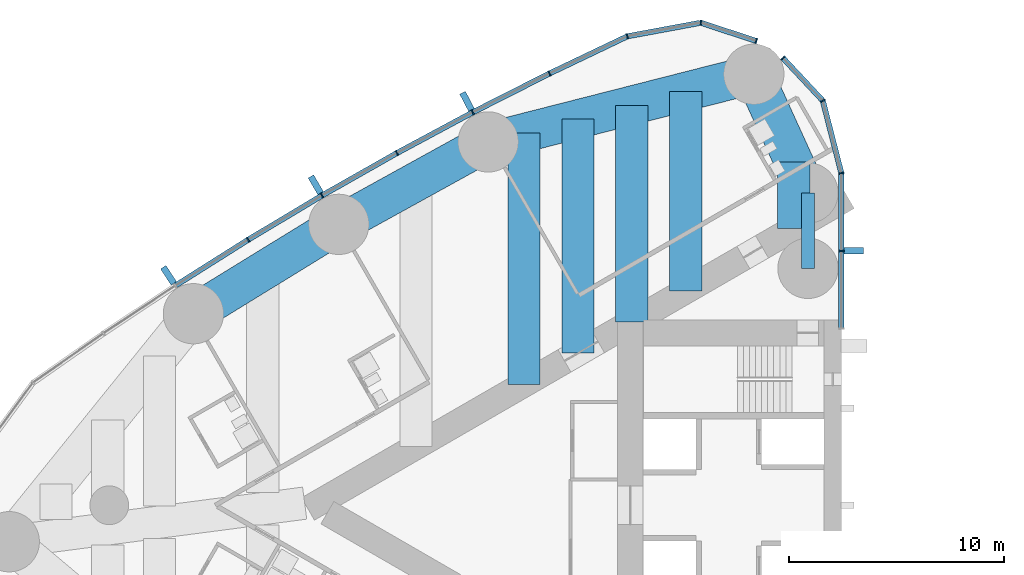
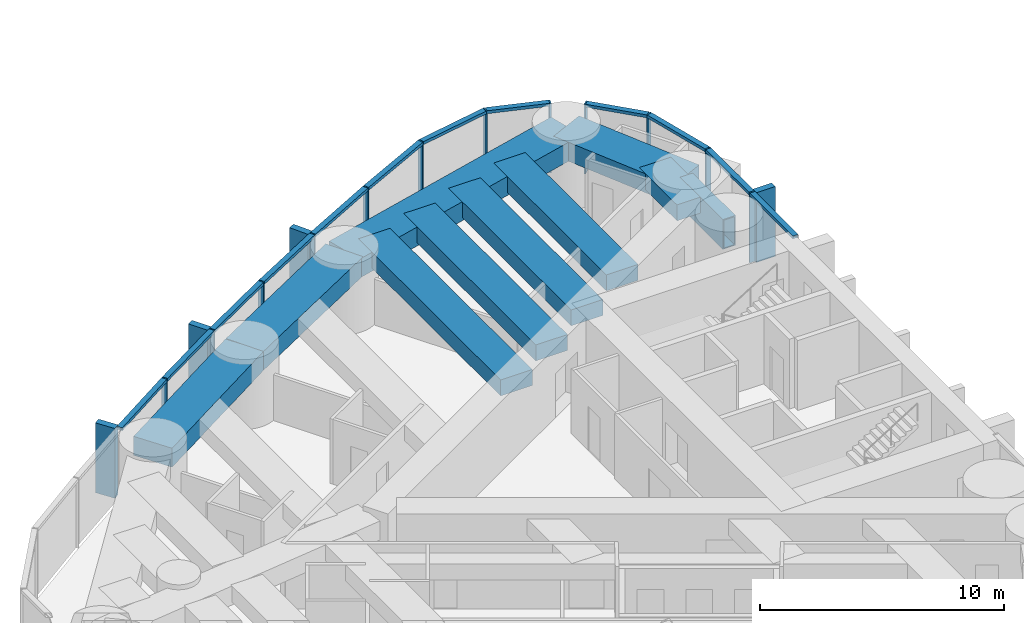
# One storey, part 5 of 18: 28 members, 10 beams, 2 elements without a shape of their own.
"""IFC4 building model written with IfcOpenShell, lengths in metres."""

import ifcopenshell
import ifcopenshell.guid

model = None  # the IFC model being written
_history = None  # IfcOwnerHistory: only IFC2X3 demands one
_inside = {}  # id of a spatial element -> (the spatial element, [elements in it])
_under = {}  # id of a project, library or spatial element -> (it, [spatial elements below it])
_declared = {}  # id of a project -> (the project, [libraries it declares])
_typed = {}  # id of a type object -> (the type object, [elements of that type])
_made_of = {}  # id of a material, layer set ... -> (it, [elements and type objects made of it])


def new_model(schema):
    """Start an empty IFC model of exactly this schema.

    Asked for "IFC4X3", IfcOpenShell would pick the latest addendum, in which some entities
    have other attributes; the version numbers below select the first issue.
    IFC2X3 requires an IfcOwnerHistory on every rooted entity: one is made here for all.
    """
    global model, _history
    if schema == "IFC4X3":
        model = ifcopenshell.file(schema_version=(4, 3, 0, 0))
    else:
        model = ifcopenshell.file(schema=schema)
    _inside.clear()
    _under.clear()
    _declared.clear()
    _typed.clear()
    _made_of.clear()
    _history = None
    if model.schema == "IFC2X3":
        org = make("IfcOrganization", Name="unknown")
        user = make(
            "IfcPersonAndOrganization",
            ThePerson=make("IfcPerson", FamilyName="unknown"),
            TheOrganization=org,
        )
        app = make(
            "IfcApplication",
            ApplicationDeveloper=org,
            Version="unknown",
            ApplicationFullName="unknown",
            ApplicationIdentifier="unknown",
        )
        _history = make(
            "IfcOwnerHistory",
            OwningUser=user,
            OwningApplication=app,
            ChangeAction="ADDED",
            CreationDate=0,
        )
    return model


def make(cls, **values):
    """One entity of the class cls with the attributes given. An attribute that is None is left unset."""
    return model.create_entity(
        cls, **{name: value for name, value in values.items() if value is not None}
    )


def rooted(cls, **values):
    """An entity with a GlobalId (a new one), such as an element, a storey or a relation."""
    return make(cls, GlobalId=ifcopenshell.guid.new(), OwnerHistory=_history, **values)


def si_unit(unit_type, name, prefix=None):
    """IfcSIUnit, for example si_unit("LENGTHUNIT", "METRE", prefix="MILLI")."""
    return make("IfcSIUnit", UnitType=unit_type, Prefix=prefix, Name=name)


def assignment(units):
    """IfcUnitAssignment: the units of a project."""
    return None if units is None else make("IfcUnitAssignment", Units=units)


def point(xyz):
    """IfcCartesianPoint."""
    return None if xyz is None else make("IfcCartesianPoint", Coordinates=xyz)


def direction(xyz):
    """IfcDirection."""
    return None if xyz is None else make("IfcDirection", DirectionRatios=xyz)


def frame(location, z_axis=None, x_axis=None):
    """IfcAxis2Placement3D, a coordinate frame: its origin and axes. An axis left out is left unset."""
    return make(
        "IfcAxis2Placement3D",
        Location=point(location),
        Axis=direction(z_axis),
        RefDirection=direction(x_axis),
    )


def frame_2d(location, x_axis=None):
    """IfcAxis2Placement2D, a coordinate frame in the plane: its origin and x axis."""
    return make(
        "IfcAxis2Placement2D", Location=point(location), RefDirection=direction(x_axis)
    )


def origin():
    """The frame at (0, 0, 0) with its axes left unset."""
    return frame((0.0, 0.0, 0.0))


def origin_2d():
    """The frame at (0, 0) in the plane with its x axis left unset."""
    return frame_2d((0.0, 0.0))


def place(relative_to, where):
    """IfcLocalPlacement: puts the frame where relative to a parent placement (None: the world)."""
    return make(
        "IfcLocalPlacement", PlacementRelTo=relative_to, RelativePlacement=where
    )


def context(
    kind, dimensions, precision=None, world=None, true_north=None, identifier=None
):
    """IfcGeometricRepresentationContext, for example the 3D "Model" context."""
    return make(
        "IfcGeometricRepresentationContext",
        ContextIdentifier=identifier,
        ContextType=kind,
        CoordinateSpaceDimension=dimensions,
        Precision=precision,
        WorldCoordinateSystem=world,
        TrueNorth=true_north,
    )


def subcontext(parent, identifier, kind, view, scale=None):
    """IfcGeometricRepresentationSubContext, for example "Body" below "Model"."""
    return make(
        "IfcGeometricRepresentationSubContext",
        ContextIdentifier=identifier,
        ContextType=kind,
        ParentContext=parent,
        TargetScale=scale,
        TargetView=view,
    )


def project(units=None, contexts=None):
    """IfcProject with its units and contexts."""
    return rooted(
        "IfcProject",
        Name="project",
        RepresentationContexts=contexts,
        UnitsInContext=assignment(units),
    )


def spatial(cls, under=None, at=None, **own):
    """A site, building, storey or space (cls), placed at a placement, below another one or the project."""
    s = rooted(cls, ObjectPlacement=at, **own)
    if under is not None:
        _under.setdefault(under.id(), (under, []))[1].append(s)
    return s


def profile(cls, at=None, kind="AREA", **sizes):
    """A parametric profile (cls). Its sizes go by their IFC names, for example OverallWidth=200.0."""
    return make(cls, ProfileType=kind, Position=at, **sizes)


def rectangle(**sizes):
    """IfcRectangleProfileDef."""
    return profile("IfcRectangleProfileDef", **sizes)


def hollow_rectangle(**sizes):
    """IfcRectangleHollowProfileDef."""
    return profile("IfcRectangleHollowProfileDef", **sizes)


def extrude(swept, where, along, depth):
    """IfcExtrudedAreaSolid: the profile swept, set in the frame where, extruded along a direction by depth."""
    return make(
        "IfcExtrudedAreaSolid",
        SweptArea=swept,
        Position=where,
        ExtrudedDirection=direction(along),
        Depth=depth,
    )


def shape(context_of_items, identifier, shape_type, items):
    """IfcShapeRepresentation: the items that make up one representation, for example the "Body"."""
    return make(
        "IfcShapeRepresentation",
        ContextOfItems=context_of_items,
        RepresentationIdentifier=identifier,
        RepresentationType=shape_type,
        Items=items,
    )


def material(Name=None, Category=None):
    """IfcMaterial."""
    return make("IfcMaterial", Name=Name, Category=Category)


def material_profile(
    of_material, cross_section, Name=None, Category=None, Priority=None
):
    """IfcMaterialProfile: a cross section and its material."""
    return make(
        "IfcMaterialProfile",
        Name=Name,
        Material=of_material,
        Profile=cross_section,
        Priority=Priority,
        Category=Category,
    )


def profile_set(profiles, Name=None, composite=None):
    """IfcMaterialProfileSet."""
    return make(
        "IfcMaterialProfileSet",
        Name=Name,
        MaterialProfiles=profiles,
        CompositeProfile=composite,
    )


def made_of(thing, what):
    """Note that an element or type object is made of a material, layer set ...; save() writes the relation."""
    if what is not None:
        _made_of.setdefault(what.id(), (what, []))[1].append(thing)
    return thing


def type_object(cls, material=None, **own):
    """A type object (cls), such as IfcWallType, which elements share."""
    return made_of(rooted(cls, **own), material)


def element(
    cls,
    number,
    at=None,
    inside=None,
    cuts=None,
    type_object=None,
    material=None,
    context=None,
    identifier="Body",
    shape_type=None,
    held_by="IfcProductDefinitionShape",
    body=None,
    shapes=None,
    **own,
):
    """One element of the class cls, such as IfcWall. Its Tag is "e" and its number.

    at: its placement. inside: the storey or other place that contains it. cuts: it is an
    opening in that element (IfcRelVoidsElement). A single representation is given by context,
    identifier, shape_type and body (its items); several are given by shapes. held_by: the class
    of the entity that holds the representations. save() writes the other relations.
    """
    e = rooted(cls, Tag="e%d" % number, ObjectPlacement=at, **own)
    if body is not None:
        shapes = [shape(context, identifier, shape_type, body)]
    if shapes is not None:
        e.Representation = make(held_by, Representations=shapes)
    if inside is not None:
        _inside.setdefault(inside.id(), (inside, []))[1].append(e)
    if cuts is not None:
        rooted(
            "IfcRelVoidsElement", RelatingBuildingElement=cuts, RelatedOpeningElement=e
        )
    if type_object is not None:
        _typed.setdefault(type_object.id(), (type_object, []))[1].append(e)
    return made_of(e, material)


def aggregate(whole, parts):
    """IfcRelAggregates: a whole, such as a stair, and the parts it consists of."""
    return rooted("IfcRelAggregates", RelatingObject=whole, RelatedObjects=parts)


def save(model, path):
    """Write the relations noted so far, then the file.

    IfcRelAggregates (storeys below a building ...), IfcRelContainedInSpatialStructure (elements
    in a storey), IfcRelDefinesByType, IfcRelAssociatesMaterial and IfcRelDeclares: one each for
    every whole, place, type object, material and project.
    """
    for whole, parts in _under.values():
        aggregate(whole, parts)
    for where, things in _inside.values():
        rooted(
            "IfcRelContainedInSpatialStructure",
            RelatedElements=things,
            RelatingStructure=where,
        )
    for kind, things in _typed.values():
        rooted("IfcRelDefinesByType", RelatedObjects=things, RelatingType=kind)
    for what, things in _made_of.values():
        rooted("IfcRelAssociatesMaterial", RelatedObjects=things, RelatingMaterial=what)
    for by, libraries in _declared.values():
        rooted("IfcRelDeclares", RelatingContext=by, RelatedDefinitions=libraries)
    model.write(path)


model = new_model("IFC4")

# Units and contexts
model_context = context("Model", 3, precision=1e-05, world=origin(), true_north=direction((0.0, 1.0)))
body_context = subcontext(model_context, "Body", "Model", "MODEL_VIEW")
ifc_project = project(units=[si_unit("LENGTHUNIT", "METRE"), si_unit("AREAUNIT", "SQUARE_METRE"), si_unit("VOLUMEUNIT", "CUBIC_METRE"), si_unit("PLANEANGLEUNIT", "RADIAN"), si_unit("MASSUNIT", "GRAM", prefix="KILO")], contexts=[model_context])

# Site, building, storey
site_placement = place(None, origin())
site = spatial("IfcSite", under=ifc_project, at=site_placement, CompositionType="ELEMENT")
building_placement = place(site_placement, origin())
building = spatial("IfcBuilding", under=site, at=building_placement, Name="Lancet Gate Hotel", CompositionType="ELEMENT")
storey_placement = place(building_placement, frame((0.0, 0.0, 180.800048828125)))
storey = spatial("IfcBuildingStorey", under=building, at=storey_placement, Name="L48", CompositionType="ELEMENT", Elevation=180.800048828125)

# Curtain wall, members
ifc_material_1 = material(Name="Aluminium curtain wall", Category="aluminium")
curtain_wall_type = type_object("IfcCurtainWallType", Name="Tower unitised curtain wall", PredefinedType="USERDEFINED", material=ifc_material_1)
curtain_wall_1_placement = place(storey_placement, origin())
curtain_wall_1 = element("IfcCurtainWall", 1, at=curtain_wall_1_placement, inside=storey, type_object=curtain_wall_type, Name="T1 L48 curtain wall 1", ObjectType="UNITISED CURTAIN WALL", PredefinedType="USERDEFINED")
ifc_material_2 = material(Name="Aluminium mullion", Category="aluminium")
ifc_material_profile_1 = material_profile(ifc_material_2, rectangle(XDim=0.06494140625, YDim=0.25, at=origin_2d()), Name="MULLION 65x250")
ifc_profile_set_1 = profile_set([ifc_material_profile_1], Name="Aluminium mullion")
member_type_1 = type_object("IfcMemberType", Name="Aluminium mullion 65x250", PredefinedType="MULLION", material=ifc_profile_set_1)
member_1_placement = place(storey_placement, frame((-27.5, 11.811767578125, 0.0), z_axis=(0.0, 0.0, 1.0), x_axis=(0.0, 1.0, 0.0)))
member_1 = element("IfcMember", 2, at=member_1_placement, type_object=member_type_1, Name="T1 L48 curtain wall 1 mullion 2", PredefinedType="MULLION", context=body_context, shape_type="SweptSolid", body=[
    extrude(rectangle(XDim=0.06494140625, YDim=0.25, at=origin_2d()), origin(), (0.0, 0.0, 1.0), 3.5),
])
member_2_placement = place(storey_placement, frame((-27.5, 15.42333984375, 0.0), z_axis=(0.0, 0.0, 1.0), x_axis=(-0.122467472845, 0.992472527627, 0.0)))
member_2 = element("IfcMember", 3, at=member_2_placement, type_object=member_type_1, Name="T1 L48 curtain wall 1 mullion 3", PredefinedType="MULLION", context=body_context, shape_type="SweptSolid", body=[
    extrude(rectangle(XDim=0.06494140625, YDim=0.25, at=origin_2d()), origin(), (0.0, 0.0, 1.0), 3.5),
])
member_3_placement = place(storey_placement, frame((-28.360595703125, 18.7861328125, 0.0), z_axis=(0.0, 0.0, 1.0), x_axis=(-0.452507601198, 0.891760545695, 0.0)))
member_3 = element("IfcMember", 4, at=member_3_placement, type_object=member_type_1, Name="T1 L48 curtain wall 1 mullion 4", PredefinedType="MULLION", context=body_context, shape_type="SweptSolid", body=[
    extrude(rectangle(XDim=0.06494140625, YDim=0.25, at=origin_2d()), origin(), (0.0, 0.0, 1.0), 3.5),
])
member_4_placement = place(storey_placement, frame((-30.210693359375, 20.765625, 0.0), z_axis=(0.0, 0.0, 1.0), x_axis=(-0.682844962172, 0.730563315282, 0.0)))
member_4 = element("IfcMember", 5, at=member_4_placement, type_object=member_type_1, Name="T1 L48 curtain wall 1 mullion 5", PredefinedType="MULLION", context=body_context, shape_type="SweptSolid", body=[
    extrude(rectangle(XDim=0.06494140625, YDim=0.25, at=origin_2d()), origin(), (0.0, 0.0, 1.0), 3.5),
])

curtain_wall_2_placement = place(storey_placement, origin())
curtain_wall_2 = element("IfcCurtainWall", 6, at=curtain_wall_2_placement, inside=storey, type_object=curtain_wall_type, Name="T1 L48 curtain wall 2", ObjectType="UNITISED CURTAIN WALL", PredefinedType="USERDEFINED")
member_5_placement = place(storey_placement, frame((-31.45263671875, 21.5595703125, 0.0), z_axis=(0.0, 0.0, 1.0), x_axis=(-0.949848055084, 0.312711803827, 0.0)))
member_5 = element("IfcMember", 7, at=member_5_placement, type_object=member_type_1, Name="T1 L48 curtain wall 2 mullion 1", PredefinedType="MULLION", context=body_context, shape_type="SweptSolid", body=[
    extrude(rectangle(XDim=0.06494140625, YDim=0.25, at=origin_2d()), origin(), (0.0, 0.0, 1.0), 3.5),
])
member_6_placement = place(storey_placement, frame((-34.02783203125, 22.407470703125, 0.0), z_axis=(0.0, 0.0, 1.0), x_axis=(-0.999350473622, 0.036036521361, 0.0)))
member_6 = element("IfcMember", 8, at=member_6_placement, type_object=member_type_1, Name="T1 L48 curtain wall 2 mullion 2", PredefinedType="MULLION", context=body_context, shape_type="SweptSolid", body=[
    extrude(rectangle(XDim=0.06494140625, YDim=0.25, at=origin_2d()), origin(), (0.0, 0.0, 1.0), 3.5),
])
member_7_placement = place(storey_placement, frame((-37.44091796875, 21.775634765625, 0.0), z_axis=(0.0, 0.0, 1.0), x_axis=(-0.948119321052, -0.317914694609, 0.0)))
member_7 = element("IfcMember", 9, at=member_7_placement, type_object=member_type_1, Name="T1 L48 curtain wall 2 mullion 3", PredefinedType="MULLION", context=body_context, shape_type="SweptSolid", body=[
    extrude(rectangle(XDim=0.06494140625, YDim=0.25, at=origin_2d()), origin(), (0.0, 0.0, 1.0), 3.5),
])
member_8_placement = place(storey_placement, frame((-41.0498046875, 20.052978515625, 0.0), z_axis=(0.0, 0.0, 1.0), x_axis=(-0.897324392142, -0.441371652088, 0.0)))
member_8 = element("IfcMember", 10, at=member_8_placement, type_object=member_type_1, Name="T1 L48 curtain wall 2 mullion 4", PredefinedType="MULLION", context=body_context, shape_type="SweptSolid", body=[
    extrude(rectangle(XDim=0.06494140625, YDim=0.25, at=origin_2d()), origin(), (0.0, 0.0, 1.0), 3.5),
])
member_9_placement = place(storey_placement, frame((-44.6171875, 18.245849609375, 0.0), z_axis=(0.0, 0.0, 1.0), x_axis=(-0.886694440064, -0.462355891019, 0.0)))
member_9 = element("IfcMember", 11, at=member_9_placement, type_object=member_type_1, Name="T1 L48 curtain wall 2 mullion 5", PredefinedType="MULLION", context=body_context, shape_type="SweptSolid", body=[
    extrude(rectangle(XDim=0.06494140625, YDim=0.25, at=origin_2d()), origin(), (0.0, 0.0, 1.0), 3.5),
])
member_10_placement = place(storey_placement, frame((-48.140869140625, 16.355224609375, 0.0), z_axis=(0.0, 0.0, 1.0), x_axis=(-0.87557384965, -0.483084292654, 0.0)))
member_10 = element("IfcMember", 12, at=member_10_placement, type_object=member_type_1, Name="T1 L48 curtain wall 2 mullion 6", PredefinedType="MULLION", context=body_context, shape_type="SweptSolid", body=[
    extrude(rectangle(XDim=0.06494140625, YDim=0.25, at=origin_2d()), origin(), (0.0, 0.0, 1.0), 3.5),
])
member_11_placement = place(storey_placement, frame((-51.619384765625, 14.38232421875, 0.0), z_axis=(0.0, 0.0, 1.0), x_axis=(-0.863968774311, -0.503545387245, 0.0)))
member_11 = element("IfcMember", 13, at=member_11_placement, type_object=member_type_1, Name="T1 L48 curtain wall 2 mullion 7", PredefinedType="MULLION", context=body_context, shape_type="SweptSolid", body=[
    extrude(rectangle(XDim=0.06494140625, YDim=0.25, at=origin_2d()), origin(), (0.0, 0.0, 1.0), 3.5),
])
member_12_placement = place(storey_placement, frame((-55.05029296875, 12.328369140625, 0.0), z_axis=(0.0, 0.0, 1.0), x_axis=(-0.851885635531, -0.52372785297, 0.0)))
member_12 = element("IfcMember", 14, at=member_12_placement, type_object=member_type_1, Name="T1 L48 curtain wall 2 mullion 8", PredefinedType="MULLION", context=body_context, shape_type="SweptSolid", body=[
    extrude(rectangle(XDim=0.06494140625, YDim=0.25, at=origin_2d()), origin(), (0.0, 0.0, 1.0), 3.5),
])

# Member
ifc_material_3 = material(Name="Aluminium transom", Category="aluminium")
ifc_material_profile_2 = material_profile(ifc_material_3, rectangle(XDim=0.25, YDim=0.14990234375, at=origin_2d()), Name="TRANSOM 250x150")
ifc_profile_set_2 = profile_set([ifc_material_profile_2], Name="Aluminium transom")
member_type_2 = type_object("IfcMemberType", Name="Aluminium transom 250x150", PredefinedType="USERDEFINED", material=ifc_profile_set_2)
member_13_placement = place(storey_placement, frame((-27.5, 8.232421875, 3.425048828125), z_axis=(0.0, 1.0, 0.0), x_axis=(-1.0, 0.0, 0.0)))
member_13 = element("IfcMember", 15, at=member_13_placement, type_object=member_type_2, Name="T1 L48 curtain wall 1 transom 1", ObjectType="TRANSOM", PredefinedType="USERDEFINED", context=body_context, shape_type="SweptSolid", body=[
    extrude(rectangle(XDim=0.25, YDim=0.14990234375, at=origin_2d()), origin(), (0.0, 0.0, 1.0), 3.546875),
])

member_14_placement = place(storey_placement, frame((-27.5, 11.84423828125, 3.425048828125), z_axis=(0.0, 1.0, 0.0), x_axis=(-1.0, 0.0, 0.0)))
member_14 = element("IfcMember", 16, at=member_14_placement, type_object=member_type_2, Name="T1 L48 curtain wall 1 transom 2", ObjectType="TRANSOM", PredefinedType="USERDEFINED", context=body_context, shape_type="SweptSolid", body=[
    extrude(rectangle(XDim=0.25, YDim=0.14990234375, at=origin_2d()), origin(), (0.0, 0.0, 1.0), 3.546630859375),
])

member_15_placement = place(storey_placement, frame((-27.508056640625, 15.454833984375, 3.425048828125), z_axis=(-0.247928683912, 0.968778286139, 0.0), x_axis=(-0.968778286139, -0.247928683912, 0.0)))
member_15 = element("IfcMember", 17, at=member_15_placement, type_object=member_type_2, Name="T1 L48 curtain wall 1 transom 3", ObjectType="TRANSOM", PredefinedType="USERDEFINED", context=body_context, shape_type="SweptSolid", body=[
    extrude(rectangle(XDim=0.25, YDim=0.14990234375, at=origin_2d()), origin(), (0.0, 0.0, 1.0), 3.40625),
])

member_16_placement = place(storey_placement, frame((-28.3828125, 18.809814453125, 3.425048828125), z_axis=(-0.682841037959, 0.730566983157, 0.0), x_axis=(-0.730566983157, -0.682841037959, 0.0)))
member_16 = element("IfcMember", 18, at=member_16_placement, type_object=member_type_2, Name="T1 L48 curtain wall 1 transom 4", ObjectType="TRANSOM", PredefinedType="USERDEFINED", context=body_context, shape_type="SweptSolid", body=[
    extrude(rectangle(XDim=0.25, YDim=0.14990234375, at=origin_2d()), origin(), (0.0, 0.0, 1.0), 2.644775390625),
])

member_17_placement = place(storey_placement, frame((-31.483642578125, 21.56982421875, 3.425048828125), z_axis=(-0.949857661259, 0.312682623993, 0.0), x_axis=(-0.312682623993, -0.949857661259, 0.0)))
member_17 = element("IfcMember", 19, at=member_17_placement, type_object=member_type_2, Name="T1 L48 curtain wall 2 transom 1", ObjectType="TRANSOM", PredefinedType="USERDEFINED", context=body_context, shape_type="SweptSolid", body=[
    extrude(rectangle(XDim=0.25, YDim=0.14990234375, at=origin_2d()), origin(), (0.0, 0.0, 1.0), 2.64599609375),
])

member_18_placement = place(storey_placement, frame((-34.059814453125, 22.401611328125, 3.425048828125), z_axis=(-0.983286757871, -0.182063592724, 0.0), x_axis=(0.182063592724, -0.983286757871, 0.0)))
member_18 = element("IfcMember", 20, at=member_18_placement, type_object=member_type_2, Name="T1 L48 curtain wall 2 transom 2", ObjectType="TRANSOM", PredefinedType="USERDEFINED", context=body_context, shape_type="SweptSolid", body=[
    extrude(rectangle(XDim=0.25, YDim=0.14990234375, at=origin_2d()), origin(), (0.0, 0.0, 1.0), 3.406005859375),
])

member_19_placement = place(storey_placement, frame((-37.47021484375, 21.761474609375, 3.425048828125), z_axis=(-0.902468975385, -0.430754858902, 0.0), x_axis=(0.430754858902, -0.902468975385, 0.0)))
member_19 = element("IfcMember", 21, at=member_19_placement, type_object=member_type_2, Name="T1 L48 curtain wall 2 transom 3", ObjectType="TRANSOM", PredefinedType="USERDEFINED", context=body_context, shape_type="SweptSolid", body=[
    extrude(rectangle(XDim=0.25, YDim=0.14990234375, at=origin_2d()), origin(), (0.0, 0.0, 1.0), 3.93408203125),
])

member_20_placement = place(storey_placement, frame((-41.078857421875, 20.0380859375, 3.425048828125), z_axis=(-0.892081477453, -0.451874581699, 0.0), x_axis=(0.451874581699, -0.892081477453, 0.0)))
member_20 = element("IfcMember", 22, at=member_20_placement, type_object=member_type_2, Name="T1 L48 curtain wall 2 transom 4", ObjectType="TRANSOM", PredefinedType="USERDEFINED", context=body_context, shape_type="SweptSolid", body=[
    extrude(rectangle(XDim=0.25, YDim=0.14990234375, at=origin_2d()), origin(), (0.0, 0.0, 1.0), 3.933837890625),
])

member_21_placement = place(storey_placement, frame((-44.645751953125, 18.23046875, 3.425048828125), z_axis=(-0.881185491994, -0.472770693571, 0.0), x_axis=(0.472770693571, -0.881185491994, 0.0)))
member_21 = element("IfcMember", 23, at=member_21_placement, type_object=member_type_2, Name="T1 L48 curtain wall 2 transom 5", ObjectType="TRANSOM", PredefinedType="USERDEFINED", context=body_context, shape_type="SweptSolid", body=[
    extrude(rectangle(XDim=0.25, YDim=0.14990234375, at=origin_2d()), origin(), (0.0, 0.0, 1.0), 3.93408203125),
])

member_22_placement = place(storey_placement, frame((-48.169189453125, 16.33935546875, 3.425048828125), z_axis=(-0.869819807367, -0.493369539709, 0.0), x_axis=(0.493369539709, -0.869819807367, 0.0)))
member_22 = element("IfcMember", 24, at=member_22_placement, type_object=member_type_2, Name="T1 L48 curtain wall 2 transom 6", ObjectType="TRANSOM", PredefinedType="USERDEFINED", context=body_context, shape_type="SweptSolid", body=[
    extrude(rectangle(XDim=0.25, YDim=0.14990234375, at=origin_2d()), origin(), (0.0, 0.0, 1.0), 3.93408203125),
])

member_23_placement = place(storey_placement, frame((-51.647216796875, 14.36572265625, 3.425048828125), z_axis=(-0.857985365092, -0.513674131419, 0.0), x_axis=(0.513674131419, -0.857985365092, 0.0)))
member_23 = element("IfcMember", 25, at=member_23_placement, type_object=member_type_2, Name="T1 L48 curtain wall 2 transom 7", ObjectType="TRANSOM", PredefinedType="USERDEFINED", context=body_context, shape_type="SweptSolid", body=[
    extrude(rectangle(XDim=0.25, YDim=0.14990234375, at=origin_2d()), origin(), (0.0, 0.0, 1.0), 3.933837890625),
])

member_24_placement = place(storey_placement, frame((-55.077880859375, 12.31103515625, 3.425048828125), z_axis=(-0.845671711095, -0.53370343549, 0.0), x_axis=(0.53370343549, -0.845671711095, 0.0)))
member_24 = element("IfcMember", 26, at=member_24_placement, type_object=member_type_2, Name="T1 L48 curtain wall 2 transom 8", ObjectType="TRANSOM", PredefinedType="USERDEFINED", context=body_context, shape_type="SweptSolid", body=[
    extrude(rectangle(XDim=0.25, YDim=0.14990234375, at=origin_2d()), origin(), (0.0, 0.0, 1.0), 3.93408203125),
])

# Beams
ifc_material_4 = material(Name="Concrete C50/60", Category="concrete")
ifc_material_profile_3 = material_profile(ifc_material_4, rectangle(XDim=1.800048828125, YDim=0.949951171875, at=origin_2d()), Name="RC 1800x950")
ifc_profile_set_3 = profile_set([ifc_material_profile_3], Name="Concrete C50/60")
beam_type_1 = type_object("IfcBeamType", Name="Edge beam RC 1800x950", PredefinedType="SPANDREL", material=ifc_profile_set_3)
beam_1_placement = place(storey_placement, frame((-31.5654296875, 20.015869140625, 2.77490234375), z_axis=(-0.969008414312, -0.247027717052, 0.0), x_axis=(0.247027717052, -0.969008414312, 0.0)))
element("IfcBeam", 27, at=beam_1_placement, inside=storey, type_object=beam_type_1, Name="T1 edge beam EB1 L48", PredefinedType="SPANDREL", context=body_context, shape_type="SweptSolid", body=[
    extrude(rectangle(XDim=1.800048828125, YDim=0.949951171875, at=origin_2d()), origin(), (0.0, 0.0, 1.0), 12.7294921875),
])
beam_2_placement = place(storey_placement, frame((-43.900390625, 16.871337890625, 2.77490234375), z_axis=(-0.875577684027, -0.483077342911, 0.0), x_axis=(0.483077342911, -0.875577684027, 0.0)))
element("IfcBeam", 28, at=beam_2_placement, inside=storey, type_object=beam_type_1, Name="T1 edge beam EB1 L48", PredefinedType="SPANDREL", context=body_context, shape_type="SweptSolid", body=[
    extrude(rectangle(XDim=1.800048828125, YDim=0.949951171875, at=origin_2d()), origin(), (0.0, 0.0, 1.0), 7.924560546875),
])
beam_3_placement = place(storey_placement, frame((-50.8388671875, 13.043212890625, 2.77490234375), z_axis=(-0.851892008043, -0.523717487423, 0.0), x_axis=(0.523717487423, -0.851892008043, 0.0)))
element("IfcBeam", 29, at=beam_3_placement, inside=storey, type_object=beam_type_1, Name="T1 edge beam EB1 L48", PredefinedType="SPANDREL", context=body_context, shape_type="SweptSolid", body=[
    extrude(rectangle(XDim=1.800048828125, YDim=0.949951171875, at=origin_2d()), origin(), (0.0, 0.0, 1.0), 7.92431640625),
])
beam_4_placement = place(storey_placement, frame((-31.5654296875, 20.015869140625, 2.77490234375), z_axis=(0.414919206993, -0.909858259109, 0.0), x_axis=(0.909858259109, 0.414919206993, 0.0)))
element("IfcBeam", 30, at=beam_4_placement, inside=storey, type_object=beam_type_1, Name="T1 edge beam EB1 L48", PredefinedType="SPANDREL", context=body_context, shape_type="SweptSolid", body=[
    extrude(rectangle(XDim=1.800048828125, YDim=0.949951171875, at=origin_2d()), origin(), (0.0, 0.0, 1.0), 6.062255859375),
])

# Member
ifc_material_5 = material(Name="Precast concrete C50/60", Category="concrete")
ifc_material_profile_4 = material_profile(ifc_material_5, rectangle(XDim=0.300048828125, YDim=0.89990234375, at=origin_2d()), Name="FIN 300x900")
ifc_profile_set_4 = profile_set([ifc_material_profile_4], Name="Precast concrete C50/60")
member_type_3 = type_object("IfcMemberType", Name="Exposed concrete fin 300x900", PredefinedType="USERDEFINED", material=ifc_profile_set_4)
member_25_placement = place(storey_placement, frame((-26.925048828125, 11.811767578125, 0.0), z_axis=(0.0, 0.0, 1.0), x_axis=(0.0, 1.0, 0.0)))
member_25 = element("IfcMember", 31, at=member_25_placement, type_object=member_type_3, Name="T1 L48 curtain wall 1 fin 2", ObjectType="FIN", PredefinedType="USERDEFINED", context=body_context, shape_type="SweptSolid", body=[
    extrude(rectangle(XDim=0.300048828125, YDim=0.89990234375, at=origin_2d()), origin(), (0.0, 0.0, 1.0), 3.5),
])

aggregate(curtain_wall_1, [member_1, member_25, member_2, member_3, member_4, member_13, member_14, member_15, member_16])

member_26_placement = place(storey_placement, frame((-44.883056640625, 18.755615234375, 0.0), z_axis=(0.0, 0.0, 1.0), x_axis=(-0.886694440064, -0.462355891019, 0.0)))
member_26 = element("IfcMember", 32, at=member_26_placement, type_object=member_type_3, Name="T1 L48 curtain wall 2 fin 5", ObjectType="FIN", PredefinedType="USERDEFINED", context=body_context, shape_type="SweptSolid", body=[
    extrude(rectangle(XDim=0.300048828125, YDim=0.89990234375, at=origin_2d()), origin(), (0.0, 0.0, 1.0), 3.5),
])

member_27_placement = place(storey_placement, frame((-51.908935546875, 14.879150390625, 0.0), z_axis=(0.0, 0.0, 1.0), x_axis=(-0.863968774311, -0.503545387245, 0.0)))
member_27 = element("IfcMember", 33, at=member_27_placement, type_object=member_type_3, Name="T1 L48 curtain wall 2 fin 7", ObjectType="FIN", PredefinedType="USERDEFINED", context=body_context, shape_type="SweptSolid", body=[
    extrude(rectangle(XDim=0.300048828125, YDim=0.89990234375, at=origin_2d()), origin(), (0.0, 0.0, 1.0), 3.5),
])

member_28_placement = place(storey_placement, frame((-58.74462890625, 10.6767578125, 0.0), z_axis=(0.0, 0.0, 1.0), x_axis=(-0.839331119324, -0.54362052218, 0.0)))
member_28 = element("IfcMember", 34, at=member_28_placement, type_object=member_type_3, Name="T1 L48 curtain wall 2 fin 9", ObjectType="FIN", PredefinedType="USERDEFINED", context=body_context, shape_type="SweptSolid", body=[
    extrude(rectangle(XDim=0.300048828125, YDim=0.89990234375, at=origin_2d()), origin(), (0.0, 0.0, 1.0), 3.5),
])

aggregate(curtain_wall_2, [member_5, member_6, member_7, member_8, member_9, member_26, member_10, member_11, member_27, member_12, member_28, member_17, member_18, member_19, member_20, member_21, member_22, member_23, member_24])

# Beams
ifc_material_6 = material(Name="Concrete C50/60", Category="concrete")
ifc_material_profile_5 = material_profile(ifc_material_6, rectangle(XDim=1.5, YDim=0.800048828125, at=origin_2d()), Name="RC 1500x800")
ifc_profile_set_5 = profile_set([ifc_material_profile_5], Name="Concrete C50/60")
beam_type_2 = type_object("IfcBeamType", Name="Floor beam RC 1500x800", PredefinedType="BEAM", material=ifc_profile_set_5)
beam_5_placement = place(storey_placement, frame((-29.706787109375, 15.940185546875, 2.849853515625), z_axis=(0.0, -1.0, 0.0), x_axis=(1.0, 0.0, 0.0)))
element("IfcBeam", 35, at=beam_5_placement, inside=storey, type_object=beam_type_2, Name="T1 floor beam F01S L48", PredefinedType="BEAM", context=body_context, shape_type="SweptSolid", body=[
    extrude(rectangle(XDim=1.5, YDim=0.800048828125, at=origin_2d()), origin(), (0.0, 0.0, 1.0), 3.087646484375),
])
beam_6_placement = place(storey_placement, frame((-34.720458984375, 19.211669921875, 2.849853515625), z_axis=(0.0, -1.0, 0.0), x_axis=(1.0, 0.0, 0.0)))
element("IfcBeam", 36, at=beam_6_placement, inside=storey, type_object=beam_type_2, Name="T1 floor beam F03S L48", PredefinedType="BEAM", context=body_context, shape_type="SweptSolid", body=[
    extrude(rectangle(XDim=1.5, YDim=0.800048828125, at=origin_2d()), origin(), (0.0, 0.0, 1.0), 9.253662109375),
])
beam_7_placement = place(storey_placement, frame((-37.227294921875, 18.572509765625, 2.849853515625), z_axis=(0.0, -1.0, 0.0), x_axis=(1.0, 0.0, 0.0)))
element("IfcBeam", 37, at=beam_7_placement, inside=storey, type_object=beam_type_2, Name="T1 floor beam F04S L48", PredefinedType="BEAM", context=body_context, shape_type="SweptSolid", body=[
    extrude(rectangle(XDim=1.5, YDim=0.800048828125, at=origin_2d()), origin(), (0.0, 0.0, 1.0), 10.061767578125),
])
beam_8_placement = place(storey_placement, frame((-39.734130859375, 17.93359375, 2.849853515625), z_axis=(0.0, -1.0, 0.0), x_axis=(1.0, 0.0, 0.0)))
element("IfcBeam", 38, at=beam_8_placement, inside=storey, type_object=beam_type_2, Name="T1 floor beam F06S L48", PredefinedType="BEAM", context=body_context, shape_type="SweptSolid", body=[
    extrude(rectangle(XDim=1.5, YDim=0.800048828125, at=origin_2d()), origin(), (0.0, 0.0, 1.0), 10.8701171875),
])
beam_9_placement = place(storey_placement, frame((-42.240966796875, 17.29443359375, 2.849853515625), z_axis=(0.0, -1.0, 0.0), x_axis=(1.0, 0.0, 0.0)))
element("IfcBeam", 39, at=beam_9_placement, inside=storey, type_object=beam_type_2, Name="T1 floor beam F07S L48", PredefinedType="BEAM", context=body_context, shape_type="SweptSolid", body=[
    extrude(rectangle(XDim=1.5, YDim=0.800048828125, at=origin_2d()), origin(), (0.0, 0.0, 1.0), 11.678466796875),
])
ifc_material_7 = material(Name="Steel S460QL", Category="steel")
ifc_material_profile_6 = material_profile(ifc_material_7, hollow_rectangle(XDim=0.60009765625, YDim=1.5, WallThickness=0.050048828125, at=origin_2d()), Name="BOX 1500x600x50")
ifc_profile_set_6 = profile_set([ifc_material_profile_6], Name="Steel S460QL")
beam_type_3 = type_object("IfcBeamType", Name="Inner-face link beam BOX 1500x600x50", PredefinedType="BEAM", material=ifc_profile_set_6)
beam_10_placement = place(storey_placement, frame((-29.050048828125, 14.5, 2.5), z_axis=(0.0, -1.0, 0.0), x_axis=(1.0, 0.0, 0.0)))
element("IfcBeam", 40, at=beam_10_placement, inside=storey, type_object=beam_type_3, Name="T1 inner-face link beam LK1 L48", PredefinedType="BEAM", context=body_context, shape_type="SweptSolid", body=[
    extrude(hollow_rectangle(XDim=0.60009765625, YDim=1.5, WallThickness=0.050048828125, at=origin_2d()), origin(), (0.0, 0.0, 1.0), 3.5),
])

save(model, "model.ifc")
